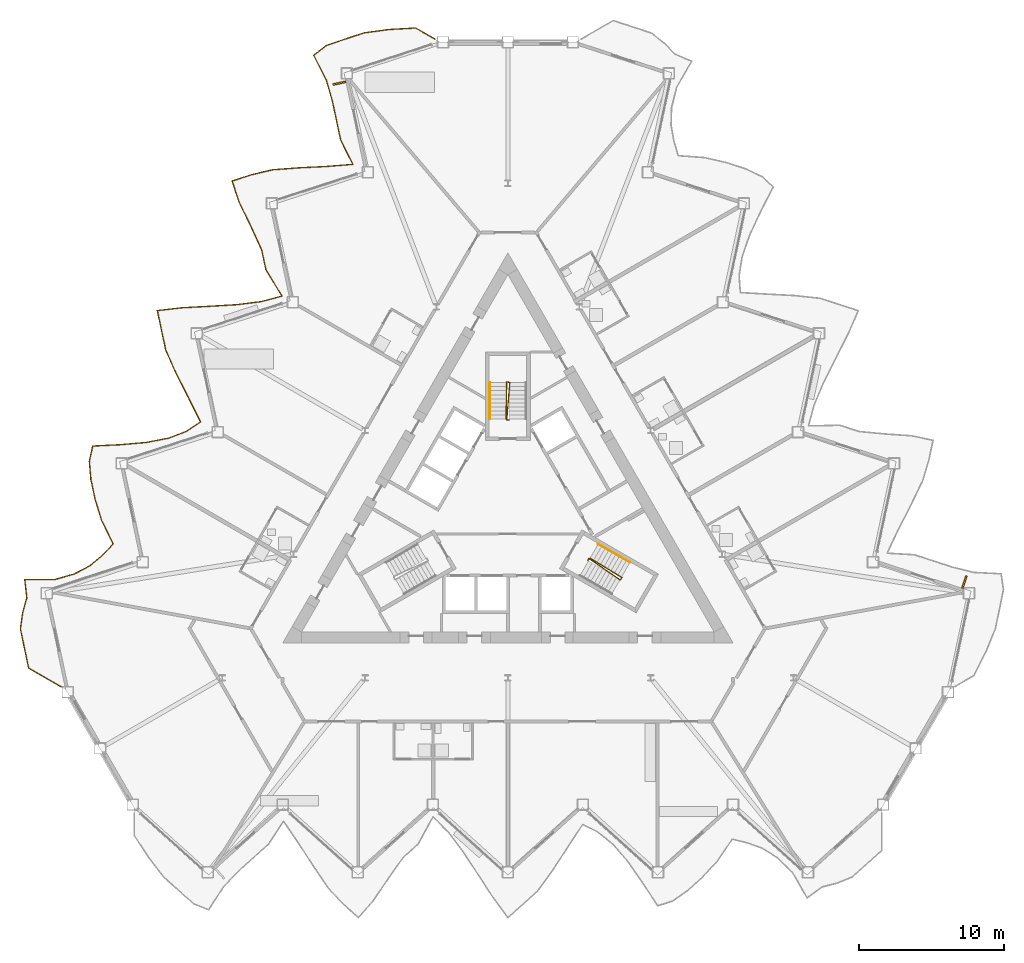
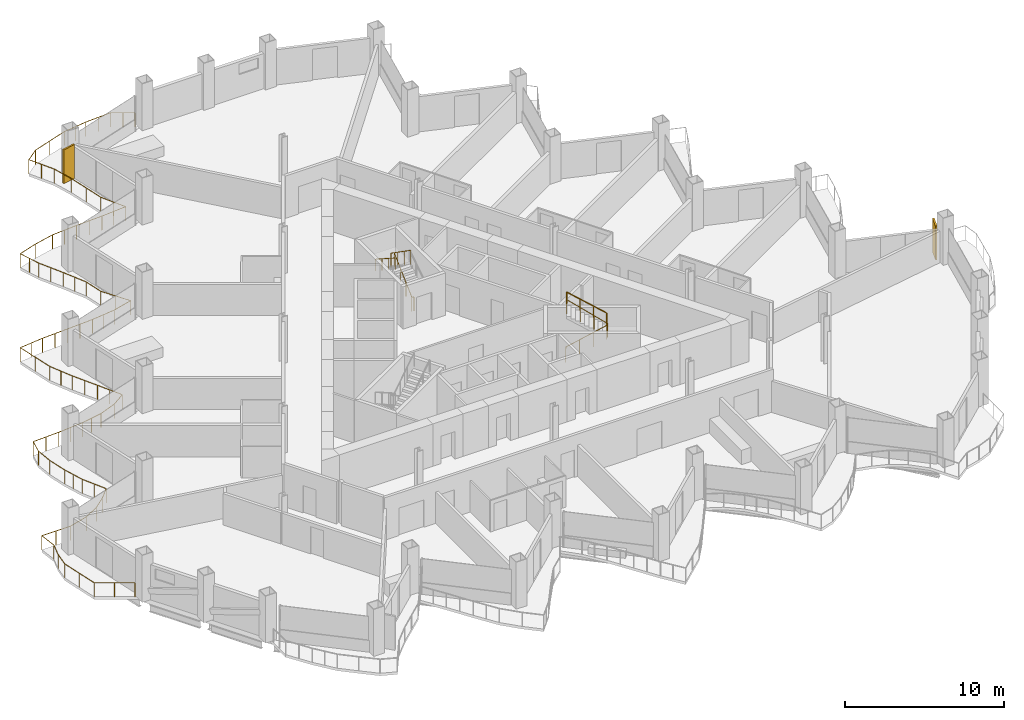
# One storey, part 21 of 24: 5 railings, 2 shading devices.
"""IFC4 building model written with IfcOpenShell, lengths in metres."""

from ifc_helpers import new_model, si_unit, direction, frame, origin, origin_2d, place, context, subcontext, project, spatial, rectangle, circle, extrude, material, layer, layer_set, type_object, element, save


model = new_model("IFC4")

# Units and contexts
model_context = context("Model", 3, precision=1e-05, world=origin(), true_north=direction((0.0, 1.0)))
body_context = subcontext(model_context, "Body", "Model", "MODEL_VIEW")
ifc_project = project(units=[si_unit("LENGTHUNIT", "METRE"), si_unit("AREAUNIT", "SQUARE_METRE"), si_unit("VOLUMEUNIT", "CUBIC_METRE"), si_unit("PLANEANGLEUNIT", "RADIAN"), si_unit("MASSUNIT", "GRAM", prefix="KILO")], contexts=[model_context])

# Site, building, storey
site_placement = place(None, origin())
site = spatial("IfcSite", under=ifc_project, at=site_placement, CompositionType="ELEMENT")
building_placement = place(site_placement, origin())
building = spatial("IfcBuilding", under=site, at=building_placement, Name="Cormorant Prow Tower", CompositionType="ELEMENT")
storey_placement = place(building_placement, frame((0.0, 0.0, 201.60009765625)))
storey = spatial("IfcBuildingStorey", under=building, at=storey_placement, Name="L44", CompositionType="ELEMENT", Elevation=201.60009765625)

# Railings
ifc_material_1 = material(Name="Aluminium 6063-T6", Category="aluminium")
railing_type_1 = type_object("IfcRailingType", Name="Balcony guard 1100", PredefinedType="GUARDRAIL", material=ifc_material_1)
railing_1_placement = place(storey_placement, frame((-5.02197265625, 32.62158203125, 0.0)))
element("IfcRailing", 1, at=railing_1_placement, inside=storey, type_object=railing_type_1, Name="Balcony guard WNW", PredefinedType="GUARDRAIL", context=body_context, shape_type="SweptSolid", body=[
    extrude(circle(Radius=0.02392578125, at=origin_2d()), frame((0.0, 0.0, 1.076171875), z_axis=(-0.866030456496, 0.499991248344, 0.0), x_axis=(-0.499991248344, -0.866030456496, 0.0)), (0.0, 0.0, 1.0), 1.52001953125),
    extrude(circle(Radius=0.02392578125, at=origin_2d()), frame((-1.31640625, 0.760009765625, 1.076171875), z_axis=(-0.9984555567, -0.055556289426, 0.0), x_axis=(0.055556289426, -0.9984555567, 0.0)), (0.0, 0.0, 1.0), 1.880859375),
    extrude(circle(Radius=0.02392578125, at=origin_2d()), frame((-3.1943359375, 0.655517578125, 1.076171875), z_axis=(-0.99086810661, -0.134834696212, 0.0), x_axis=(0.134834696212, -0.99086810661, 0.0)), (0.0, 0.0, 1.0), 1.68212890625),
    extrude(circle(Radius=0.02392578125, at=origin_2d()), frame((-4.861083984375, 0.4287109375, 1.076171875), z_axis=(-0.951087151367, -0.308922693412, 0.0), x_axis=(0.308922693412, -0.951087151367, 0.0)), (0.0, 0.0, 1.0), 1.385498046875),
    extrude(circle(Radius=0.02392578125, at=origin_2d()), frame((-6.1787109375, 0.000732421875, 1.076171875), z_axis=(-0.947266720756, -0.320446188537, 0.0), x_axis=(0.320446188537, -0.947266720756, 0.0)), (0.0, 0.0, 1.0), 1.37060546875),
    extrude(circle(Radius=0.02392578125, at=origin_2d()), frame((-7.47705078125, -0.4384765625, 1.076171875), z_axis=(-0.785147655602, -0.619308613619, 0.0), x_axis=(0.619308613619, -0.785147655602, 0.0)), (0.0, 0.0, 1.0), 1.108642578125),
    extrude(circle(Radius=0.02392578125, at=origin_2d()), frame((-8.347412109375, -1.125, 1.076171875), z_axis=(0.455437820788, -0.890267595387, 0.0), x_axis=(0.890267595387, 0.455437820788, 0.0)), (0.0, 0.0, 1.0), 1.8955078125),
    extrude(circle(Radius=0.02392578125, at=origin_2d()), frame((-7.484130859375, -2.8125, 1.076171875), z_axis=(0.279161718833, -0.960244101642, 0.0), x_axis=(0.960244101642, 0.279161718833, 0.0)), (0.0, 0.0, 1.0), 1.487548828125),
    extrude(circle(Radius=0.02392578125, at=origin_2d()), frame((-7.06884765625, -4.240966796875, 1.076171875), z_axis=(0.207928301643, -0.978144069847, 0.0), x_axis=(0.978144069847, 0.207928301643, 0.0)), (0.0, 0.0, 1.0), 1.385498046875),
    extrude(circle(Radius=0.02392578125, at=origin_2d()), frame((-6.78076171875, -5.59619140625, 1.076171875), z_axis=(0.207928301643, -0.978144069847, 0.0), x_axis=(0.978144069847, 0.207928301643, 0.0)), (0.0, 0.0, 1.0), 1.385498046875),
    extrude(circle(Radius=0.02392578125, at=origin_2d()), frame((-6.49267578125, -6.951416015625, 1.076171875), z_axis=(0.44726584542, -0.894401064132, 0.0), x_axis=(0.894401064132, 0.44726584542, 0.0)), (0.0, 0.0, 1.0), 1.868896484375),
    extrude(circle(Radius=0.02392578125, at=origin_2d()), frame((-5.65673828125, -8.623046875, 1.076171875), z_axis=(-0.996774040773, -0.080259028411, 0.0), x_axis=(0.080259028411, -0.996774040773, 0.0)), (0.0, 0.0, 1.0), 1.81298828125),
    extrude(circle(Radius=0.02392578125, at=origin_2d()), frame((-7.4638671875, -8.7685546875, 1.076171875), z_axis=(-0.998821477728, -0.048535096874, 0.0), x_axis=(0.048535096874, -0.998821477728, 0.0)), (0.0, 0.0, 1.0), 1.9013671875),
    extrude(circle(Radius=0.02392578125, at=origin_2d()), frame((-9.363037109375, -8.86083984375, 1.076171875), z_axis=(-0.997220184619, -0.074511095744, 0.0), x_axis=(0.074511095744, -0.997220184619, 0.0)), (0.0, 0.0, 1.0), 1.828369140625),
    extrude(circle(Radius=0.02392578125, at=origin_2d()), frame((-11.186279296875, -8.9970703125, 1.076171875), z_axis=(-0.972848140614, -0.231444367623, 0.0), x_axis=(0.231444367623, -0.972848140614, 0.0)), (0.0, 0.0, 1.0), 1.4990234375),
    extrude(circle(Radius=0.02392578125, at=origin_2d()), frame((-12.64453125, -9.343994140625, 1.076171875), z_axis=(-0.951035363693, -0.309082087811, 0.0), x_axis=(0.309082087811, -0.951035363693, 0.0)), (0.0, 0.0, 1.0), 1.385498046875),
    extrude(circle(Radius=0.02392578125, at=origin_2d()), frame((-13.962158203125, -9.772216796875, 1.076171875), z_axis=(0.313004303967, -0.949751707394, 0.0), x_axis=(0.949751707394, 0.313004303967, 0.0)), (0.0, 0.0, 1.0), 1.5458984375),
    extrude(circle(Radius=0.02392578125, at=origin_2d()), frame((-13.478271484375, -11.240478515625, 1.076171875), z_axis=(0.44005896469, -0.897968878969, 0.0), x_axis=(0.897968878969, 0.44005896469, 0.0)), (0.0, 0.0, 1.0), 1.846435546875),
    extrude(circle(Radius=0.02392578125, at=origin_2d()), frame((-12.665771484375, -12.8984375, 1.076171875), z_axis=(0.415294824276, -0.909686874111, 0.0), x_axis=(0.909686874111, 0.415294824276, 0.0)), (0.0, 0.0, 1.0), 1.77490234375),
    extrude(circle(Radius=0.02392578125, at=origin_2d()), frame((-11.9287109375, -14.512939453125, 1.076171875), z_axis=(0.207928301643, -0.978144069847, 0.0), x_axis=(0.978144069847, 0.207928301643, 0.0)), (0.0, 0.0, 1.0), 1.385498046875),
    extrude(circle(Radius=0.02392578125, at=origin_2d()), frame((-11.640625, -15.8681640625, 1.076171875), z_axis=(0.517236143974, -0.855842725836, 0.0), x_axis=(0.855842725836, 0.517236143974, 0.0)), (0.0, 0.0, 1.0), 2.133544921875),
    extrude(circle(Radius=0.02392578125, at=origin_2d()), frame((-10.537109375, -17.694091796875, 1.076171875), z_axis=(-0.966273834904, -0.257516748931, 0.0), x_axis=(0.257516748931, -0.966273834904, 0.0)), (0.0, 0.0, 1.0), 1.4580078125),
    extrude(circle(Radius=0.02392578125, at=origin_2d()), frame((-11.946044921875, -18.069580078125, 1.076171875), z_axis=(-0.992313053223, -0.123752997554, 0.0), x_axis=(0.123752997554, -0.992313053223, 0.0)), (0.0, 0.0, 1.0), 1.70654296875),
    extrude(circle(Radius=0.02392578125, at=origin_2d()), frame((-13.639404296875, -18.28076171875, 1.076171875), z_axis=(-0.998277069876, -0.058676160063, 0.0), x_axis=(0.058676160063, -0.998277069876, 0.0)), (0.0, 0.0, 1.0), 1.872314453125),
    extrude(circle(Radius=0.02392578125, at=origin_2d()), frame((-15.508544921875, -18.390625, 1.076171875), z_axis=(-0.998586941007, -0.053142461835, 0.0), x_axis=(0.053142461835, -0.998586941007, 0.0)), (0.0, 0.0, 1.0), 1.88818359375),
    extrude(circle(Radius=0.02392578125, at=origin_2d()), frame((-17.39404296875, -18.490966796875, 1.076171875), z_axis=(-0.993409554821, -0.114618743628, 0.0), x_axis=(0.114618743628, -0.993409554821, 0.0)), (0.0, 0.0, 1.0), 1.7275390625),
    extrude(circle(Radius=0.02392578125, at=origin_2d()), frame((-19.110107421875, -18.68896484375, 1.076171875), z_axis=(0.207928301643, -0.978144069847, 0.0), x_axis=(0.978144069847, 0.207928301643, 0.0)), (0.0, 0.0, 1.0), 1.385498046875),
    extrude(circle(Radius=0.02392578125, at=origin_2d()), frame((-18.822021484375, -20.044189453125, 1.076171875), z_axis=(0.207964146033, -0.978136449563, 0.0), x_axis=(0.978136449563, 0.207964146033, 0.0)), (0.0, 0.0, 1.0), 1.38525390625),
    extrude(circle(Radius=0.02392578125, at=origin_2d()), frame((-18.533935546875, -21.399169921875, 1.076171875), z_axis=(0.403447126772, -0.915002959503, 0.0), x_axis=(0.915002959503, 0.403447126772, 0.0)), (0.0, 0.0, 1.0), 1.743408203125),
    extrude(circle(Radius=0.02392578125, at=origin_2d()), frame((-17.83056640625, -22.994384765625, 1.076171875), z_axis=(0.453918041174, -0.89104343996, 0.0), x_axis=(0.89104343996, 0.453918041174, 0.0)), (0.0, 0.0, 1.0), 1.889892578125),
    extrude(circle(Radius=0.02392578125, at=origin_2d()), frame((-16.97265625, -24.678466796875, 1.076171875), z_axis=(0.44726584542, -0.894401064132, 0.0), x_axis=(0.894401064132, 0.44726584542, 0.0)), (0.0, 0.0, 1.0), 1.868896484375),
    extrude(circle(Radius=0.02392578125, at=origin_2d()), frame((-16.13671875, -26.35009765625, 1.076171875), z_axis=(-0.829120379703, -0.559070117214, 0.0), x_axis=(0.559070117214, -0.829120379703, 0.0)), (0.0, 0.0, 1.0), 1.1455078125),
    extrude(circle(Radius=0.02392578125, at=origin_2d()), frame((-17.08642578125, -26.990478515625, 1.076171875), z_axis=(-0.933364610061, -0.358929665374, 0.0), x_axis=(0.358929665374, -0.933364610061, 0.0)), (0.0, 0.0, 1.0), 1.32421875),
    extrude(circle(Radius=0.02392578125, at=origin_2d()), frame((-18.322509765625, -27.4658203125, 1.076171875), z_axis=(-0.982152144726, -0.188088183068, 0.0), x_axis=(0.188088183068, -0.982152144726, 0.0)), (0.0, 0.0, 1.0), 1.574462890625),
    extrude(circle(Radius=0.02392578125, at=origin_2d()), frame((-19.868896484375, -27.761962890625, 1.076171875), z_axis=(-0.996247213406, -0.086553392654, 0.0), x_axis=(0.086553392654, -0.996247213406, 0.0)), (0.0, 0.0, 1.0), 1.796875),
    extrude(circle(Radius=0.02392578125, at=origin_2d()), frame((-21.658935546875, -27.91748046875, 1.076171875), z_axis=(-0.99879428368, -0.049091535816, 0.0), x_axis=(0.049091535816, -0.99879428368, 0.0)), (0.0, 0.0, 1.0), 1.899658203125),
    extrude(circle(Radius=0.02392578125, at=origin_2d()), frame((-23.556396484375, -28.0107421875, 1.076171875), z_axis=(-0.214728111885, -0.976673864689, 0.0), x_axis=(0.976673864689, -0.214728111885, 0.0)), (0.0, 0.0, 1.0), 1.080078125),
    extrude(circle(Radius=0.02392578125, at=origin_2d()), frame((-23.788330078125, -29.065673828125, 1.076171875), z_axis=(0.084639535599, -0.99641163633, 0.0), x_axis=(0.99641163633, 0.084639535599, 0.0)), (0.0, 0.0, 1.0), 1.254638671875),
    extrude(circle(Radius=0.02392578125, at=origin_2d()), frame((-23.68212890625, -30.31591796875, 1.076171875), z_axis=(0.207928301643, -0.978144069847, 0.0), x_axis=(0.978144069847, 0.207928301643, 0.0)), (0.0, 0.0, 1.0), 1.385498046875),
    extrude(circle(Radius=0.02392578125, at=origin_2d()), frame((-23.39404296875, -31.671142578125, 1.076171875), z_axis=(0.29275650146, -0.956187027131, 0.0), x_axis=(0.956187027131, 0.29275650146, 0.0)), (0.0, 0.0, 1.0), 1.51025390625),
    extrude(circle(Radius=0.02392578125, at=origin_2d()), frame((-22.951904296875, -33.115234375, 1.076171875), z_axis=(0.435668848136, -0.900107024061, 0.0), x_axis=(0.900107024061, 0.435668848136, 0.0)), (0.0, 0.0, 1.0), 1.8330078125),
    extrude(circle(Radius=0.02392578125, at=origin_2d()), frame((-22.1533203125, -34.76513671875, 1.076171875), z_axis=(-0.69422073273, -0.719762165057, 0.0), x_axis=(0.719762165057, -0.69422073273, 0.0)), (0.0, 0.0, 1.0), 1.06103515625),
    extrude(circle(Radius=0.02392578125, at=origin_2d()), frame((-22.889892578125, -35.52880859375, 1.076171875), z_axis=(-0.762462405511, -0.647032518644, 0.0), x_axis=(0.647032518644, -0.762462405511, 0.0)), (0.0, 0.0, 1.0), 1.093505859375),
    extrude(circle(Radius=0.02392578125, at=origin_2d()), frame((-23.7236328125, -36.236328125, 1.076171875), z_axis=(-0.88228050854, -0.470724021322, 0.0), x_axis=(0.470724021322, -0.88228050854, 0.0)), (0.0, 0.0, 1.0), 1.213134765625),
    extrude(circle(Radius=0.02392578125, at=origin_2d()), frame((-24.7939453125, -36.807373046875, 1.076171875), z_axis=(-0.961735706749, -0.273978886714, 0.0), x_axis=(0.273978886714, -0.961735706749, 0.0)), (0.0, 0.0, 1.0), 1.433837890625),
    extrude(circle(Radius=0.02392578125, at=origin_2d()), frame((-26.1728515625, -37.2001953125, 1.076171875), z_axis=(-0.999998992826, 0.001419277104, 0.0), x_axis=(-0.001419277104, -0.999998992826, 0.0)), (0.0, 0.0, 1.0), 2.064208984375),
    extrude(circle(Radius=0.02392578125, at=origin_2d()), frame((-28.237060546875, -37.197265625, 1.076171875), z_axis=(0.11110196794, -0.993809012195, 0.0), x_axis=(0.993809012195, 0.11110196794, 0.0)), (0.0, 0.0, 1.0), 1.27880859375),
    extrude(circle(Radius=0.02392578125, at=origin_2d()), frame((-28.094970703125, -38.46826171875, 1.076171875), z_axis=(-0.268709773561, -0.963221188302, 0.0), x_axis=(0.963221188302, -0.268709773561, 0.0)), (0.0, 0.0, 1.0), 1.06298828125),
    extrude(circle(Radius=0.02392578125, at=origin_2d()), frame((-28.380615234375, -39.4921875, 1.076171875), z_axis=(-0.137544419977, -0.990495599452, 0.0), x_axis=(0.990495599452, -0.137544419977, 0.0)), (0.0, 0.0, 1.0), 1.111083984375),
    extrude(circle(Radius=0.02392578125, at=origin_2d()), frame((-28.533447265625, -40.5927734375, 1.076171875), z_axis=(0.202751987267, -0.979230121912, 0.0), x_axis=(0.979230121912, 0.202751987267, 0.0)), (0.0, 0.0, 1.0), 1.378662109375),
    extrude(circle(Radius=0.02392578125, at=origin_2d()), frame((-28.25390625, -41.94287109375, 1.076171875), z_axis=(0.207928301643, -0.978144069847, 0.0), x_axis=(0.978144069847, 0.207928301643, 0.0)), (0.0, 0.0, 1.0), 1.385498046875),
    extrude(circle(Radius=0.02392578125, at=origin_2d()), frame((-27.9658203125, -43.298095703125, 1.076171875), z_axis=(0.86598941085, -0.50006233641, 0.0), x_axis=(0.50006233641, 0.86598941085, 0.0)), (0.0, 0.0, 1.0), 2.570068359375),
    extrude(circle(Radius=0.02099609375, at=origin_2d()), origin(), (0.0, 0.0, 1.0), 1.052001953125),
    extrude(circle(Radius=0.02099609375, at=origin_2d()), frame((-0.658203125, 0.3798828125, 0.0)), (0.0, 0.0, 1.0), 1.052001953125),
    extrude(circle(Radius=0.02099609375, at=origin_2d()), frame((-1.31640625, 0.760009765625, 0.0)), (0.0, 0.0, 1.0), 1.052001953125),
    extrude(circle(Radius=0.02099609375, at=origin_2d()), frame((-2.25537109375, 0.707763671875, 0.0)), (0.0, 0.0, 1.0), 1.052001953125),
    extrude(circle(Radius=0.02099609375, at=origin_2d()), frame((-3.1943359375, 0.655517578125, 0.0)), (0.0, 0.0, 1.0), 1.052001953125),
    extrude(circle(Radius=0.02099609375, at=origin_2d()), frame((-4.02783203125, 0.5419921875, 0.0)), (0.0, 0.0, 1.0), 1.052001953125),
    extrude(circle(Radius=0.02099609375, at=origin_2d()), frame((-4.861083984375, 0.4287109375, 0.0)), (0.0, 0.0, 1.0), 1.052001953125),
    extrude(circle(Radius=0.02099609375, at=origin_2d()), frame((-6.1787109375, 0.000732421875, 0.0)), (0.0, 0.0, 1.0), 1.052001953125),
    extrude(circle(Radius=0.02099609375, at=origin_2d()), frame((-7.47705078125, -0.4384765625, 0.0)), (0.0, 0.0, 1.0), 1.052001953125),
    extrude(circle(Radius=0.02099609375, at=origin_2d()), frame((-8.347412109375, -1.125, 0.0)), (0.0, 0.0, 1.0), 1.052001953125),
    extrude(circle(Radius=0.02099609375, at=origin_2d()), frame((-7.915771484375, -1.96875, 0.0)), (0.0, 0.0, 1.0), 1.052001953125),
    extrude(circle(Radius=0.02099609375, at=origin_2d()), frame((-7.484130859375, -2.8125, 0.0)), (0.0, 0.0, 1.0), 1.052001953125),
    extrude(circle(Radius=0.02099609375, at=origin_2d()), frame((-7.06884765625, -4.240966796875, 0.0)), (0.0, 0.0, 1.0), 1.052001953125),
    extrude(circle(Radius=0.02099609375, at=origin_2d()), frame((-6.78076171875, -5.59619140625, 0.0)), (0.0, 0.0, 1.0), 1.052001953125),
    extrude(circle(Radius=0.02099609375, at=origin_2d()), frame((-6.49267578125, -6.951416015625, 0.0)), (0.0, 0.0, 1.0), 1.052001953125),
    extrude(circle(Radius=0.02099609375, at=origin_2d()), frame((-6.07470703125, -7.787109375, 0.0)), (0.0, 0.0, 1.0), 1.052001953125),
    extrude(circle(Radius=0.02099609375, at=origin_2d()), frame((-5.65673828125, -8.623046875, 0.0)), (0.0, 0.0, 1.0), 1.052001953125),
    extrude(circle(Radius=0.02099609375, at=origin_2d()), frame((-6.560302734375, -8.69580078125, 0.0)), (0.0, 0.0, 1.0), 1.052001953125),
    extrude(circle(Radius=0.02099609375, at=origin_2d()), frame((-7.4638671875, -8.7685546875, 0.0)), (0.0, 0.0, 1.0), 1.052001953125),
    extrude(circle(Radius=0.02099609375, at=origin_2d()), frame((-8.41357421875, -8.814697265625, 0.0)), (0.0, 0.0, 1.0), 1.052001953125),
    extrude(circle(Radius=0.02099609375, at=origin_2d()), frame((-9.363037109375, -8.86083984375, 0.0)), (0.0, 0.0, 1.0), 1.052001953125),
    extrude(circle(Radius=0.02099609375, at=origin_2d()), frame((-10.274658203125, -8.928955078125, 0.0)), (0.0, 0.0, 1.0), 1.052001953125),
    extrude(circle(Radius=0.02099609375, at=origin_2d()), frame((-11.186279296875, -8.9970703125, 0.0)), (0.0, 0.0, 1.0), 1.052001953125),
    extrude(circle(Radius=0.02099609375, at=origin_2d()), frame((-12.64453125, -9.343994140625, 0.0)), (0.0, 0.0, 1.0), 1.052001953125),
    extrude(circle(Radius=0.02099609375, at=origin_2d()), frame((-13.962158203125, -9.772216796875, 0.0)), (0.0, 0.0, 1.0), 1.052001953125),
    extrude(circle(Radius=0.02099609375, at=origin_2d()), frame((-13.72021484375, -10.50634765625, 0.0)), (0.0, 0.0, 1.0), 1.052001953125),
    extrude(circle(Radius=0.02099609375, at=origin_2d()), frame((-13.478271484375, -11.240478515625, 0.0)), (0.0, 0.0, 1.0), 1.052001953125),
    extrude(circle(Radius=0.02099609375, at=origin_2d()), frame((-13.072021484375, -12.0693359375, 0.0)), (0.0, 0.0, 1.0), 1.052001953125),
    extrude(circle(Radius=0.02099609375, at=origin_2d()), frame((-12.665771484375, -12.8984375, 0.0)), (0.0, 0.0, 1.0), 1.052001953125),
    extrude(circle(Radius=0.02099609375, at=origin_2d()), frame((-12.29736328125, -13.70556640625, 0.0)), (0.0, 0.0, 1.0), 1.052001953125),
    extrude(circle(Radius=0.02099609375, at=origin_2d()), frame((-11.9287109375, -14.512939453125, 0.0)), (0.0, 0.0, 1.0), 1.052001953125),
    extrude(circle(Radius=0.02099609375, at=origin_2d()), frame((-11.640625, -15.8681640625, 0.0)), (0.0, 0.0, 1.0), 1.052001953125),
    extrude(circle(Radius=0.02099609375, at=origin_2d()), frame((-11.0888671875, -16.78125, 0.0)), (0.0, 0.0, 1.0), 1.052001953125),
    extrude(circle(Radius=0.02099609375, at=origin_2d()), frame((-10.537109375, -17.694091796875, 0.0)), (0.0, 0.0, 1.0), 1.052001953125),
    extrude(circle(Radius=0.02099609375, at=origin_2d()), frame((-11.946044921875, -18.069580078125, 0.0)), (0.0, 0.0, 1.0), 1.052001953125),
    extrude(circle(Radius=0.02099609375, at=origin_2d()), frame((-12.792724609375, -18.17529296875, 0.0)), (0.0, 0.0, 1.0), 1.052001953125),
    extrude(circle(Radius=0.02099609375, at=origin_2d()), frame((-13.639404296875, -18.28076171875, 0.0)), (0.0, 0.0, 1.0), 1.052001953125),
    extrude(circle(Radius=0.02099609375, at=origin_2d()), frame((-14.573974609375, -18.335693359375, 0.0)), (0.0, 0.0, 1.0), 1.052001953125),
    extrude(circle(Radius=0.02099609375, at=origin_2d()), frame((-15.508544921875, -18.390625, 0.0)), (0.0, 0.0, 1.0), 1.052001953125),
    extrude(circle(Radius=0.02099609375, at=origin_2d()), frame((-16.451171875, -18.44091796875, 0.0)), (0.0, 0.0, 1.0), 1.052001953125),
    extrude(circle(Radius=0.02099609375, at=origin_2d()), frame((-17.39404296875, -18.490966796875, 0.0)), (0.0, 0.0, 1.0), 1.052001953125),
    extrude(circle(Radius=0.02099609375, at=origin_2d()), frame((-18.251953125, -18.58984375, 0.0)), (0.0, 0.0, 1.0), 1.052001953125),
    extrude(circle(Radius=0.02099609375, at=origin_2d()), frame((-19.110107421875, -18.68896484375, 0.0)), (0.0, 0.0, 1.0), 1.052001953125),
    extrude(circle(Radius=0.02099609375, at=origin_2d()), frame((-18.822021484375, -20.044189453125, 0.0)), (0.0, 0.0, 1.0), 1.052001953125),
    extrude(circle(Radius=0.02099609375, at=origin_2d()), frame((-18.533935546875, -21.399169921875, 0.0)), (0.0, 0.0, 1.0), 1.052001953125),
    extrude(circle(Radius=0.02099609375, at=origin_2d()), frame((-18.18212890625, -22.19677734375, 0.0)), (0.0, 0.0, 1.0), 1.052001953125),
    extrude(circle(Radius=0.02099609375, at=origin_2d()), frame((-17.83056640625, -22.994384765625, 0.0)), (0.0, 0.0, 1.0), 1.052001953125),
    extrude(circle(Radius=0.02099609375, at=origin_2d()), frame((-17.401611328125, -23.83642578125, 0.0)), (0.0, 0.0, 1.0), 1.052001953125),
    extrude(circle(Radius=0.02099609375, at=origin_2d()), frame((-16.97265625, -24.678466796875, 0.0)), (0.0, 0.0, 1.0), 1.052001953125),
    extrude(circle(Radius=0.02099609375, at=origin_2d()), frame((-16.5546875, -25.51416015625, 0.0)), (0.0, 0.0, 1.0), 1.052001953125),
    extrude(circle(Radius=0.02099609375, at=origin_2d()), frame((-16.13671875, -26.35009765625, 0.0)), (0.0, 0.0, 1.0), 1.052001953125),
    extrude(circle(Radius=0.02099609375, at=origin_2d()), frame((-17.08642578125, -26.990478515625, 0.0)), (0.0, 0.0, 1.0), 1.052001953125),
    extrude(circle(Radius=0.02099609375, at=origin_2d()), frame((-18.322509765625, -27.4658203125, 0.0)), (0.0, 0.0, 1.0), 1.052001953125),
    extrude(circle(Radius=0.02099609375, at=origin_2d()), frame((-19.095703125, -27.61376953125, 0.0)), (0.0, 0.0, 1.0), 1.052001953125),
    extrude(circle(Radius=0.02099609375, at=origin_2d()), frame((-19.868896484375, -27.761962890625, 0.0)), (0.0, 0.0, 1.0), 1.052001953125),
    extrude(circle(Radius=0.02099609375, at=origin_2d()), frame((-20.763916015625, -27.83984375, 0.0)), (0.0, 0.0, 1.0), 1.052001953125),
    extrude(circle(Radius=0.02099609375, at=origin_2d()), frame((-21.658935546875, -27.91748046875, 0.0)), (0.0, 0.0, 1.0), 1.052001953125),
    extrude(circle(Radius=0.02099609375, at=origin_2d()), frame((-22.607666015625, -27.964111328125, 0.0)), (0.0, 0.0, 1.0), 1.052001953125),
    extrude(circle(Radius=0.02099609375, at=origin_2d()), frame((-23.556396484375, -28.0107421875, 0.0)), (0.0, 0.0, 1.0), 1.052001953125),
    extrude(circle(Radius=0.02099609375, at=origin_2d()), frame((-23.788330078125, -29.065673828125, 0.0)), (0.0, 0.0, 1.0), 1.052001953125),
    extrude(circle(Radius=0.02099609375, at=origin_2d()), frame((-23.68212890625, -30.31591796875, 0.0)), (0.0, 0.0, 1.0), 1.052001953125),
    extrude(circle(Radius=0.02099609375, at=origin_2d()), frame((-23.39404296875, -31.671142578125, 0.0)), (0.0, 0.0, 1.0), 1.052001953125),
    extrude(circle(Radius=0.02099609375, at=origin_2d()), frame((-23.1728515625, -32.39306640625, 0.0)), (0.0, 0.0, 1.0), 1.052001953125),
    extrude(circle(Radius=0.02099609375, at=origin_2d()), frame((-22.951904296875, -33.115234375, 0.0)), (0.0, 0.0, 1.0), 1.052001953125),
    extrude(circle(Radius=0.02099609375, at=origin_2d()), frame((-22.552734375, -33.940185546875, 0.0)), (0.0, 0.0, 1.0), 1.052001953125),
    extrude(circle(Radius=0.02099609375, at=origin_2d()), frame((-22.1533203125, -34.76513671875, 0.0)), (0.0, 0.0, 1.0), 1.052001953125),
    extrude(circle(Radius=0.02099609375, at=origin_2d()), frame((-22.889892578125, -35.52880859375, 0.0)), (0.0, 0.0, 1.0), 1.052001953125),
    extrude(circle(Radius=0.02099609375, at=origin_2d()), frame((-23.7236328125, -36.236328125, 0.0)), (0.0, 0.0, 1.0), 1.052001953125),
    extrude(circle(Radius=0.02099609375, at=origin_2d()), frame((-24.7939453125, -36.807373046875, 0.0)), (0.0, 0.0, 1.0), 1.052001953125),
    extrude(circle(Radius=0.02099609375, at=origin_2d()), frame((-26.1728515625, -37.2001953125, 0.0)), (0.0, 0.0, 1.0), 1.052001953125),
    extrude(circle(Radius=0.02099609375, at=origin_2d()), frame((-27.205078125, -37.19873046875, 0.0)), (0.0, 0.0, 1.0), 1.052001953125),
    extrude(circle(Radius=0.02099609375, at=origin_2d()), frame((-28.237060546875, -37.197265625, 0.0)), (0.0, 0.0, 1.0), 1.052001953125),
    extrude(circle(Radius=0.02099609375, at=origin_2d()), frame((-28.094970703125, -38.46826171875, 0.0)), (0.0, 0.0, 1.0), 1.052001953125),
    extrude(circle(Radius=0.02099609375, at=origin_2d()), frame((-28.380615234375, -39.4921875, 0.0)), (0.0, 0.0, 1.0), 1.052001953125),
    extrude(circle(Radius=0.02099609375, at=origin_2d()), frame((-28.533447265625, -40.5927734375, 0.0)), (0.0, 0.0, 1.0), 1.052001953125),
    extrude(circle(Radius=0.02099609375, at=origin_2d()), frame((-28.25390625, -41.94287109375, 0.0)), (0.0, 0.0, 1.0), 1.052001953125),
    extrude(circle(Radius=0.02099609375, at=origin_2d()), frame((-27.9658203125, -43.298095703125, 0.0)), (0.0, 0.0, 1.0), 1.052001953125),
    extrude(circle(Radius=0.02099609375, at=origin_2d()), frame((-26.85302734375, -43.940673828125, 0.0)), (0.0, 0.0, 1.0), 1.052001953125),
    extrude(circle(Radius=0.02099609375, at=origin_2d()), frame((-25.740234375, -44.583251953125, 0.0)), (0.0, 0.0, 1.0), 1.052001953125),
])
ifc_material_2 = material(Name="Stainless steel", Category="steel")
railing_type_2 = type_object("IfcRailingType", Name="Stair guard 1100", PredefinedType="GUARDRAIL", material=ifc_material_2)
railing_2_placement = place(storey_placement, frame((5.510009765625, -3.267822265625, 0.0)))
element("IfcRailing", 2, at=railing_2_placement, inside=storey, type_object=railing_type_2, Name="L44 ST2 stair guard 1", PredefinedType="GUARDRAIL", context=body_context, shape_type="SweptSolid", body=[
    extrude(circle(Radius=0.02392578125, at=origin_2d()), frame((0.0, 0.0, 1.076171875), z_axis=(0.501036270542, 0.865426285481, 0.0), x_axis=(-0.865426285481, 0.501036270542, 0.0)), (0.0, 0.0, 1.0), 0.150146484375),
    extrude(circle(Radius=0.02392578125, at=origin_2d()), frame((0.0751953125, 0.1298828125, 1.076171875), z_axis=(0.676088294965, -0.463849688241, 0.572492868192), x_axis=(0.565732651216, 0.824588726183, 0.0)), (0.0, 0.0, 1.0), 3.143798828125),
    extrude(circle(Radius=0.02392578125, at=origin_2d()), frame((2.20068359375, -1.328369140625, 2.8759765625), z_axis=(0.695164929852, 0.718850276695, 0.0), x_axis=(-0.718850276695, 0.695164929852, 0.0)), (0.0, 0.0, 1.0), 0.2060546875),
    extrude(circle(Radius=0.02392578125, at=origin_2d()), frame((2.343994140625, -1.18017578125, 2.8759765625), z_axis=(-0.70127624584, 0.423301980654, 0.573608804147), x_axis=(-0.516770599887, -0.856123908726, 0.0)), (0.0, 0.0, 1.0), 3.13818359375),
    extrude(circle(Radius=0.02099609375, at=origin_2d()), origin(), (0.0, 0.0, 1.0), 1.052001953125),
    extrude(circle(Radius=0.02099609375, at=origin_2d()), frame((0.0751953125, 0.1298828125, 0.0)), (0.0, 0.0, 1.0), 1.052001953125),
    extrude(circle(Radius=0.02099609375, at=origin_2d()), frame((0.78369140625, -0.356201171875, 0.599853515625)), (0.0, 0.0, 1.0), 1.052001953125),
    extrude(circle(Radius=0.02099609375, at=origin_2d()), frame((1.4921875, -0.84228515625, 1.199951171875)), (0.0, 0.0, 1.0), 1.052001953125),
    extrude(circle(Radius=0.02099609375, at=origin_2d()), frame((2.20068359375, -1.328369140625, 1.7998046875)), (0.0, 0.0, 1.0), 1.052001953125),
    extrude(circle(Radius=0.02099609375, at=origin_2d()), frame((2.343994140625, -1.18017578125, 1.7998046875)), (0.0, 0.0, 1.0), 1.052001953125),
    extrude(circle(Radius=0.02099609375, at=origin_2d()), frame((1.6103515625, -0.7373046875, 2.39990234375)), (0.0, 0.0, 1.0), 1.052001953125),
    extrude(circle(Radius=0.02099609375, at=origin_2d()), frame((0.876953125, -0.294677734375, 2.999755859375)), (0.0, 0.0, 1.0), 1.052001953125),
    extrude(circle(Radius=0.02099609375, at=origin_2d()), frame((0.143310546875, 0.148193359375, 3.599853515625)), (0.0, 0.0, 1.0), 1.052001953125),
])
railing_3_placement = place(storey_placement, frame((0.074951171875, 6.40576171875, 0.0)))
element("IfcRailing", 3, at=railing_3_placement, inside=storey, type_object=railing_type_2, Name="L44 ST3 stair guard 1", PredefinedType="GUARDRAIL", context=body_context, shape_type="SweptSolid", body=[
    extrude(circle(Radius=0.02392578125, at=origin_2d()), frame((0.0, 0.0, 1.076171875), z_axis=(-1.0, 0.0, 0.0), x_axis=(0.0, -1.0, 0.0)), (0.0, 0.0, 1.0), 0.14990234375),
    extrude(circle(Radius=0.02392578125, at=origin_2d()), frame((-0.14990234375, 0.0, 1.076171875), z_axis=(0.063598367685, 0.817460337751, 0.572462962848), x_axis=(-0.996987254287, 0.077565551559, 0.0)), (0.0, 0.0, 1.0), 3.14404296875),
    extrude(circle(Radius=0.02392578125, at=origin_2d()), frame((0.050048828125, 2.570068359375, 2.8759765625), z_axis=(-0.970072785993, 0.242814311512, 0.0), x_axis=(-0.242814311512, -0.970072785993, 0.0)), (0.0, 0.0, 1.0), 0.2060546875),
    extrude(circle(Radius=0.02392578125, at=origin_2d()), frame((-0.14990234375, 2.6201171875, 2.8759765625), z_axis=(-0.01594855688, -0.818977845239, 0.573603462805), x_axis=(0.999810440751, -0.019470042781, 0.0)), (0.0, 0.0, 1.0), 3.13818359375),
    extrude(circle(Radius=0.02099609375, at=origin_2d()), origin(), (0.0, 0.0, 1.0), 1.052001953125),
    extrude(circle(Radius=0.02099609375, at=origin_2d()), frame((-0.14990234375, 0.0, 0.0)), (0.0, 0.0, 1.0), 1.052001953125),
    extrude(circle(Radius=0.02099609375, at=origin_2d()), frame((-0.083251953125, 0.856689453125, 0.599853515625)), (0.0, 0.0, 1.0), 1.052001953125),
    extrude(circle(Radius=0.02099609375, at=origin_2d()), frame((-0.0166015625, 1.71337890625, 1.199951171875)), (0.0, 0.0, 1.0), 1.052001953125),
    extrude(circle(Radius=0.02099609375, at=origin_2d()), frame((0.050048828125, 2.570068359375, 1.7998046875)), (0.0, 0.0, 1.0), 1.052001953125),
    extrude(circle(Radius=0.02099609375, at=origin_2d()), frame((-0.14990234375, 2.6201171875, 1.7998046875)), (0.0, 0.0, 1.0), 1.052001953125),
    extrude(circle(Radius=0.02099609375, at=origin_2d()), frame((-0.16650390625, 1.763427734375, 2.39990234375)), (0.0, 0.0, 1.0), 1.052001953125),
    extrude(circle(Radius=0.02099609375, at=origin_2d()), frame((-0.183349609375, 0.90673828125, 2.999755859375)), (0.0, 0.0, 1.0), 1.052001953125),
    extrude(circle(Radius=0.02099609375, at=origin_2d()), frame((-0.199951171875, 0.050048828125, 3.599853515625)), (0.0, 0.0, 1.0), 1.052001953125),
])
ifc_material_3 = material(Name="Stainless steel", Category="steel")
railing_type_3 = type_object("IfcRailingType", Name="Stair handrail 900", PredefinedType="HANDRAIL", material=ifc_material_3)
railing_4_placement = place(storey_placement, frame((8.395263671875, -3.41064453125, 1.97998046875)))
element("IfcRailing", 4, at=railing_4_placement, inside=storey, type_object=railing_type_3, Name="L44 ST2 stair handrail 2", PredefinedType="HANDRAIL", context=body_context, shape_type="SweptSolid", body=[
    extrude(circle(Radius=0.02392578125, at=origin_2d()), frame((0.0, 0.0, 0.8759765625), z_axis=(-0.72849590497, 0.42060268101, 0.54072830624), x_axis=(-0.500004791531, -0.866022637375, 0.0)), (0.0, 0.0, 1.0), 2.99560546875),
    extrude(circle(Radius=0.02099609375, at=origin_2d()), origin(), (0.0, 0.0, 1.0), 0.851806640625),
    extrude(circle(Radius=0.02099609375, at=origin_2d()), frame((-0.7275390625, 0.419921875, 0.5400390625)), (0.0, 0.0, 1.0), 0.851806640625),
    extrude(circle(Radius=0.02099609375, at=origin_2d()), frame((-1.454833984375, 0.840087890625, 1.079833984375)), (0.0, 0.0, 1.0), 0.851806640625),
    extrude(circle(Radius=0.02099609375, at=origin_2d()), frame((-2.182373046875, 1.260009765625, 1.619873046875)), (0.0, 0.0, 1.0), 0.851806640625),
])
railing_5_placement = place(storey_placement, frame((-1.243896484375, 8.975830078125, 1.97998046875)))
element("IfcRailing", 5, at=railing_5_placement, inside=storey, type_object=railing_type_3, Name="L44 ST3 stair handrail 2", PredefinedType="HANDRAIL", context=body_context, shape_type="SweptSolid", body=[
    extrude(circle(Radius=0.02392578125, at=origin_2d()), frame((0.0, 0.0, 0.8759765625), z_axis=(0.0, -0.841199657755, 0.540724639528), x_axis=(1.0, 0.0, 0.0)), (0.0, 0.0, 1.0), 2.995849609375),
    extrude(circle(Radius=0.02099609375, at=origin_2d()), origin(), (0.0, 0.0, 1.0), 0.851806640625),
    extrude(circle(Radius=0.02099609375, at=origin_2d()), frame((0.0, -0.840087890625, 0.5400390625)), (0.0, 0.0, 1.0), 0.851806640625),
    extrude(circle(Radius=0.02099609375, at=origin_2d()), frame((0.0, -1.679931640625, 1.079833984375)), (0.0, 0.0, 1.0), 0.851806640625),
    extrude(circle(Radius=0.02099609375, at=origin_2d()), frame((0.0, -2.52001953125, 1.619873046875)), (0.0, 0.0, 1.0), 0.851806640625),
])

# Shading devices
ifc_material_4 = material(Name="Terracotta", Category="masonry")
ifc_layer = layer(ifc_material_4, 0.1201171875)
ifc_layer_set = layer_set([ifc_layer], Name="Terracotta")
shading_device_type = type_object("IfcShadingDeviceType", Name="Terracotta baguette fin 120x900x2600", PredefinedType="USERDEFINED", material=ifc_layer_set)
for number, where, z_axis, x_axis, name in (
    (6, (31.415283203125, -4.753662109375, -0.000244140625), (0.0, 0.0, 1.0), (-0.951056532594, 0.309016944213, 0.0), "Baguette fin ENE01"),
    (7, (-11.5908203125, 29.5830078125, -0.000244140625), (0.0, 0.0, 1.0), (0.207911668641, -0.978147605448, 0.0), "Baguette fin WNW01"),
):
    element("IfcShadingDevice", number, at=place(storey_placement, frame(where, z_axis=z_axis, x_axis=x_axis)), inside=storey, type_object=shading_device_type, Name=name, ObjectType="BAGUETTE", PredefinedType="USERDEFINED", context=body_context, shape_type="SweptSolid", body=[
        extrude(rectangle(XDim=0.1201171875, YDim=0.89990234375, at=origin_2d()), origin(), (0.0, 0.0, 1.0), 2.60009765625),
    ])

save(model, "model.ifc")
